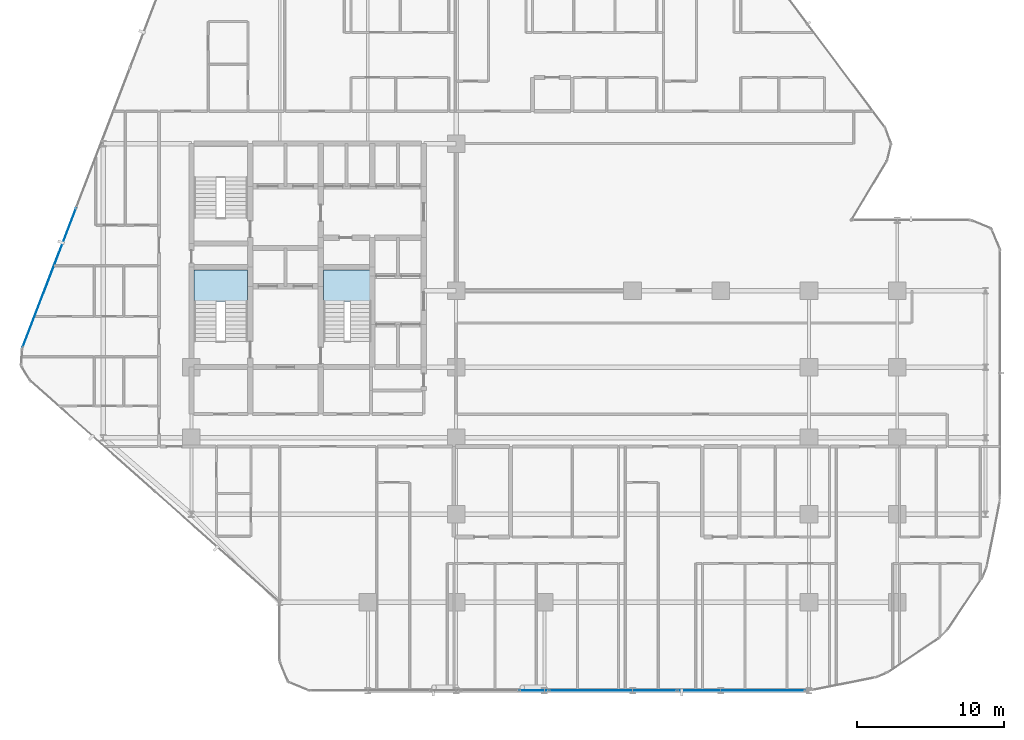
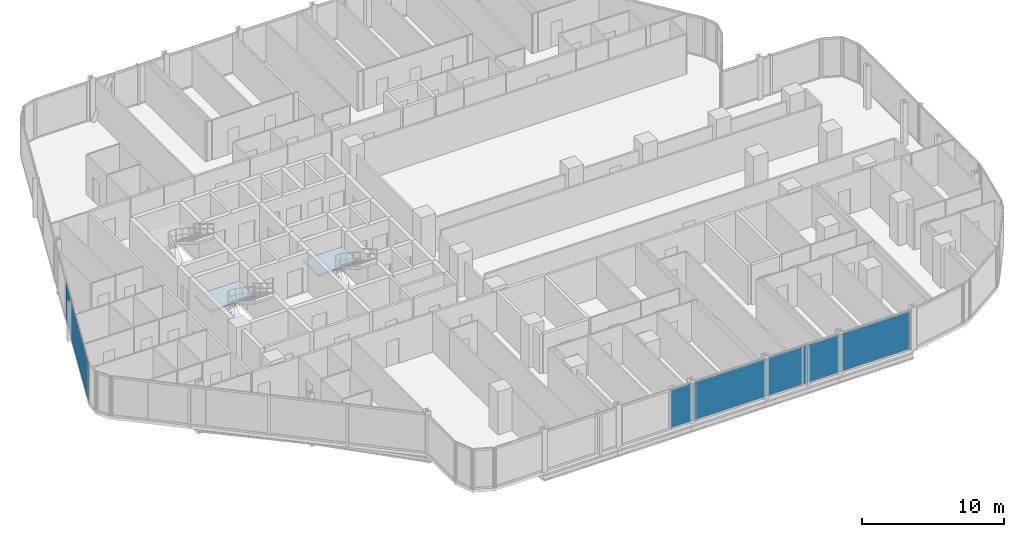
# One storey, part 21 of 34: 4 plates, 2 slabs, 5 elements without a shape of their own.
"""IFC4 building model written with IfcOpenShell, lengths in metres."""

from ifc_helpers import new_model, si_unit, direction, frame, origin, origin_2d, place, context, subcontext, project, spatial, polyline, rectangle, outline, extrude, material, layer, layer_set, type_object, element, aggregate, save


model = new_model("IFC4")

# Units and contexts
model_context = context("Model", 3, precision=1e-05, world=origin(), true_north=direction((0.0, 1.0)))
body_context = subcontext(model_context, "Body", "Model", "MODEL_VIEW")
ifc_project = project(units=[si_unit("LENGTHUNIT", "METRE"), si_unit("AREAUNIT", "SQUARE_METRE"), si_unit("VOLUMEUNIT", "CUBIC_METRE"), si_unit("PLANEANGLEUNIT", "RADIAN"), si_unit("MASSUNIT", "GRAM", prefix="KILO")], contexts=[model_context])

# Site, building, storey
site_placement = place(None, origin())
site = spatial("IfcSite", under=ifc_project, at=site_placement, CompositionType="ELEMENT")
building_placement = place(site_placement, origin())
building = spatial("IfcBuilding", under=site, at=building_placement, Name="Keshet Zoharim Tower", CompositionType="ELEMENT")
storey_placement = place(building_placement, frame((0.0, 0.0, 53.60009765625)))
storey = spatial("IfcBuildingStorey", under=building, at=storey_placement, Name="L12", CompositionType="ELEMENT", Elevation=53.60009765625)

# Curtain wall, plate
ifc_material_1 = material(Name="Aluminium 6063-T6", Category="aluminium")
ifc_layer_1 = layer(ifc_material_1, 0.179931640625)
ifc_layer_set_1 = layer_set([ifc_layer_1], Name="Aluminium 6063-T6")
curtain_wall_type = type_object("IfcCurtainWallType", Name="CW-SYS-01", PredefinedType="NOTDEFINED", material=ifc_layer_set_1)
curtain_wall_1_placement = place(storey_placement, origin())
curtain_wall_1 = element("IfcCurtainWall", 1, at=curtain_wall_1_placement, inside=storey, type_object=curtain_wall_type, Name="L12 Unitised Curtain Wall 04", PredefinedType="NOTDEFINED")
ifc_material_2 = material(Name="Insulated Low-E Clear Glass", Category="glass")
ifc_layer_2 = layer(ifc_material_2, 0.035888671875)
ifc_layer_set_2 = layer_set([ifc_layer_2], Name="Insulated Low-E Clear Glass")
plate_type_1 = type_object("IfcPlateType", Name="CWP-01", PredefinedType="CURTAIN_PANEL", material=ifc_layer_set_2)
plate_1_placement = place(storey_placement, frame((5.33837890625, 28.7802734375, 0.06982421875), z_axis=(0.0, 0.0, 1.0), x_axis=(0.358990003907, 0.933341404361, 0.0)))
plate_1 = element("IfcPlate", 2, at=plate_1_placement, type_object=plate_type_1, Name="CW-01 panel 1.1", PredefinedType="CURTAIN_PANEL", context=body_context, shape_type="SweptSolid", body=[
    extrude(rectangle(XDim=10.1181640625, YDim=0.035888671875, at=origin_2d()), origin(), (0.0, 0.0, 1.0), 3.2451171875),
])
aggregate(curtain_wall_1, [plate_1])

# Curtain wall, plates
curtain_wall_2_placement = place(storey_placement, origin())
curtain_wall_2 = element("IfcCurtainWall", 3, at=curtain_wall_2_placement, inside=storey, type_object=curtain_wall_type, Name="L12 Unitised Curtain Wall 26", PredefinedType="NOTDEFINED")
plate_2_placement = place(storey_placement, frame((52.400390625, 0.699951171875, 0.06982421875), z_axis=(0.0, 0.0, 1.0), x_axis=(-1.0, 0.0, 0.0)))
plate_2 = element("IfcPlate", 4, at=plate_2_placement, type_object=plate_type_1, Name="CW-01 panel 1.1", PredefinedType="CURTAIN_PANEL", context=body_context, shape_type="SweptSolid", body=[
    extrude(rectangle(XDim=8.665283203125, YDim=0.035888671875, at=origin_2d()), origin(), (0.0, 0.0, 1.0), 3.2451171875),
])
plate_3_placement = place(storey_placement, frame((43.665283203125, 0.699951171875, 0.06982421875), z_axis=(0.0, 0.0, 1.0), x_axis=(-1.0, 0.0, 0.0)))
plate_3 = element("IfcPlate", 5, at=plate_3_placement, type_object=plate_type_1, Name="CW-01 panel 2.1", PredefinedType="CURTAIN_PANEL", context=body_context, shape_type="SweptSolid", body=[
    extrude(rectangle(XDim=8.665283203125, YDim=0.035888671875, at=origin_2d()), origin(), (0.0, 0.0, 1.0), 3.2451171875),
])
aggregate(curtain_wall_2, [plate_2, plate_3])

# Curtain wall, plate
curtain_wall_3_placement = place(storey_placement, origin())
curtain_wall_3 = element("IfcCurtainWall", 6, at=curtain_wall_3_placement, inside=storey, type_object=curtain_wall_type, Name="L12 Unitised Curtain Wall 26 Part 2", PredefinedType="NOTDEFINED")
ifc_material_3 = material(Name="Insulated Aluminium Spandrel Panel", Category="aluminium")
ifc_layer_3 = layer(ifc_material_3, 0.035888671875)
ifc_layer_set_3 = layer_set([ifc_layer_3], Name="Insulated Aluminium Spandrel Panel")
plate_type_2 = type_object("IfcPlateType", Name="CWP-04", PredefinedType="CURTAIN_PANEL", material=ifc_layer_set_3)
plate_4_placement = place(storey_placement, frame((38.284912109375, 0.699951171875, 0.06982421875), z_axis=(0.0, 0.0, 1.0), x_axis=(-1.0, 0.0, 0.0)))
plate_4 = element("IfcPlate", 7, at=plate_4_placement, type_object=plate_type_2, Name="CW-01 spandrel panel 1.1", PredefinedType="CURTAIN_PANEL", context=body_context, shape_type="SweptSolid", body=[
    extrude(rectangle(XDim=1.955078125, YDim=0.035888671875, at=origin_2d()), origin(), (0.0, 0.0, 1.0), 3.2451171875),
])
aggregate(curtain_wall_3, [plate_4])

# Stair, slab
ifc_material_4 = material(Name="Concrete C50/60", Category="concrete")
stair_type = type_object("IfcStairType", Name="STR-EXIT-135", PredefinedType="HALF_TURN_STAIR", material=ifc_material_4)
stair_1_placement = place(storey_placement, origin())
stair_1 = element("IfcStair", 8, at=stair_1_placement, inside=storey, type_object=stair_type, Name="L12 Enclosed Exit Stair ST-01", PredefinedType="HALF_TURN_STAIR")
ifc_layer_4 = layer(ifc_material_4, 0.199951171875)
ifc_layer_set_4 = layer_set([ifc_layer_4], Name="Concrete C50/60")
slab_type = type_object("IfcSlabType", Name="SLB-LND-200", PredefinedType="LANDING", material=ifc_layer_set_4)
slab_1_placement = place(storey_placement, frame((0.0, 0.0, 1.64990234375)))
slab_1 = element("IfcSlab", 9, at=slab_1_placement, type_object=slab_type, Name="ST-01 landing 1", PredefinedType="LANDING", context=body_context, shape_type="SweptSolid", body=[
    extrude(outline(polyline([(15.179931640625, 27.159912109375), (18.820068359375, 27.159912109375), (18.820068359375, 29.320068359375), (15.179931640625, 29.320068359375), (15.179931640625, 27.159912109375)])), origin(), (0.0, 0.0, 1.0), 0.199951171875),
])
aggregate(stair_1, [slab_1])

stair_2_placement = place(storey_placement, origin())
stair_2 = element("IfcStair", 10, at=stair_2_placement, inside=storey, type_object=stair_type, Name="L12 Enclosed Exit Stair ST-03", PredefinedType="HALF_TURN_STAIR")
slab_2_placement = place(storey_placement, frame((0.0, 0.0, 1.64990234375)))
slab_2 = element("IfcSlab", 11, at=slab_2_placement, type_object=slab_type, Name="ST-03 landing 1", PredefinedType="LANDING", context=body_context, shape_type="SweptSolid", body=[
    extrude(outline(polyline([(23.97998046875, 27.159912109375), (27.219970703125, 27.159912109375), (27.219970703125, 29.320068359375), (23.97998046875, 29.320068359375), (23.97998046875, 27.159912109375)])), origin(), (0.0, 0.0, 1.0), 0.199951171875),
])
aggregate(stair_2, [slab_2])

save(model, "model.ifc")
